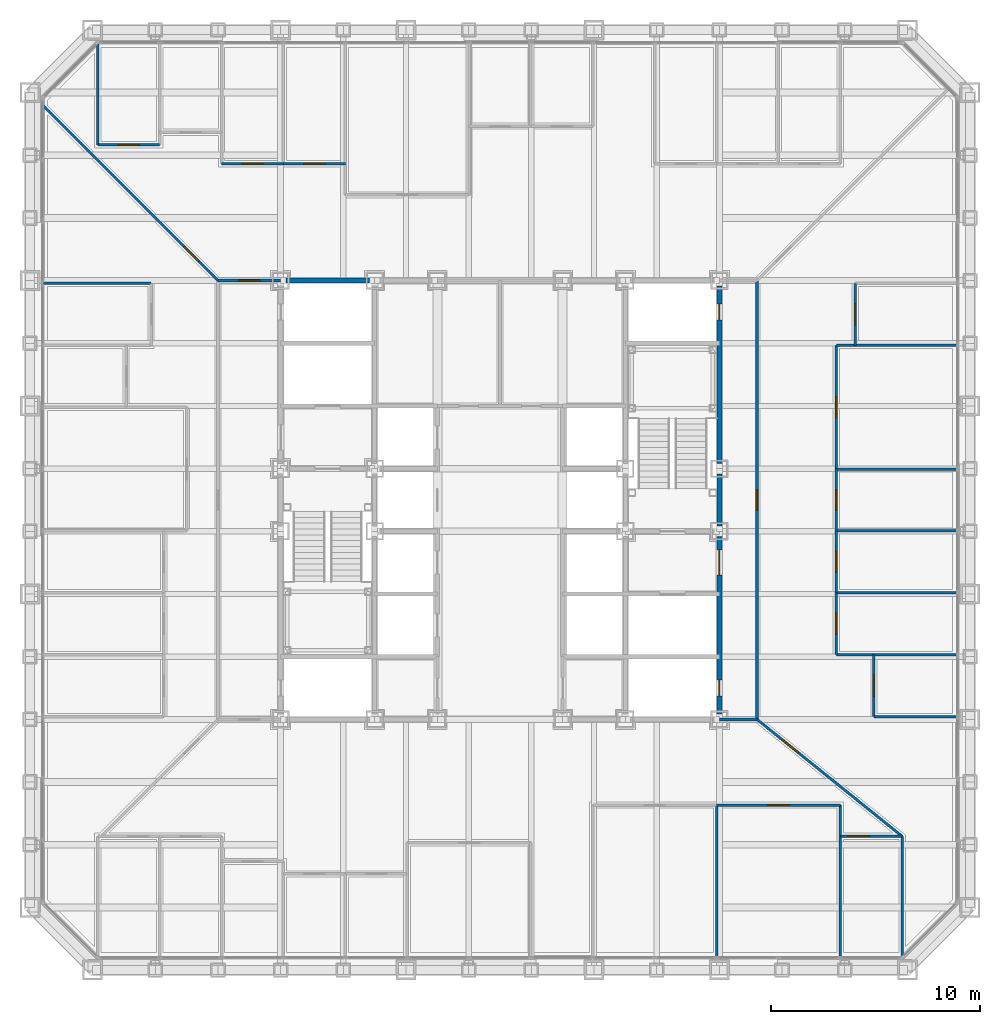
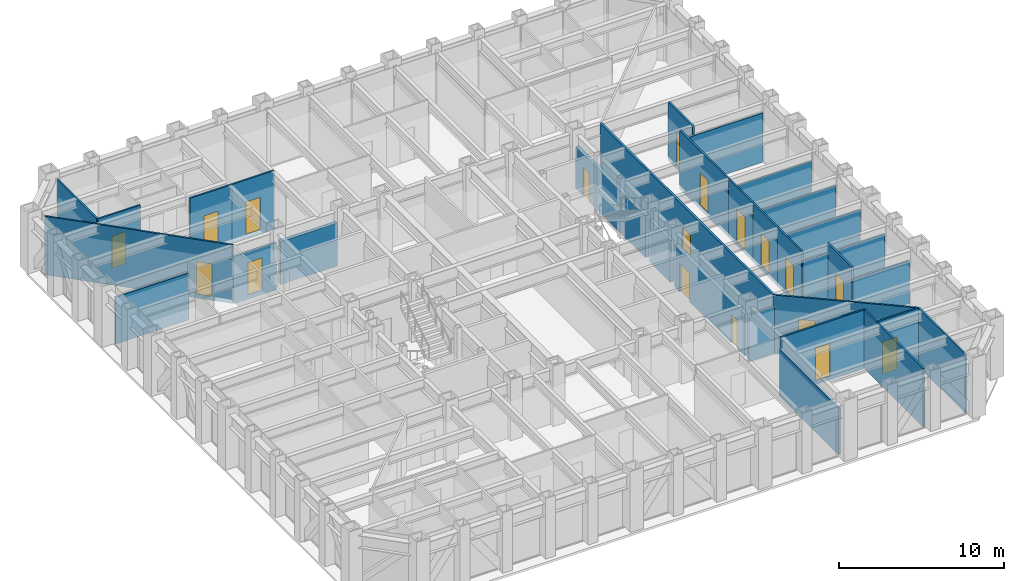
# One storey, part 10 of 17: 31 walls, 18 doors, 18 openings.
"""IFC4 building model written with IfcOpenShell, lengths in metres."""

from ifc_helpers import new_model, si_unit, direction, frame, frame_2d, origin, place, context, subcontext, project, spatial, rectangle, extrude, material, layer, layer_set, type_object, element, fill, save


model = new_model("IFC4")

# Units and contexts
model_context = context("Model", 3, precision=1e-05, world=origin(), true_north=direction((0.0, 1.0)))
body_context = subcontext(model_context, "Body", "Model", "MODEL_VIEW")
ifc_project = project(units=[si_unit("LENGTHUNIT", "METRE"), si_unit("AREAUNIT", "SQUARE_METRE"), si_unit("VOLUMEUNIT", "CUBIC_METRE"), si_unit("PLANEANGLEUNIT", "RADIAN"), si_unit("MASSUNIT", "GRAM", prefix="KILO")], contexts=[model_context])

# Site, building, storey
site_placement = place(None, origin())
site = spatial("IfcSite", under=ifc_project, at=site_placement, CompositionType="ELEMENT")
building_placement = place(site_placement, origin())
building = spatial("IfcBuilding", under=site, at=building_placement, Name="Chuquiago Exchange Tower", CompositionType="ELEMENT")
storey_placement = place(building_placement, frame((0.0, 0.0, 46.800048828125)))
storey = spatial("IfcBuildingStorey", under=building, at=storey_placement, Name="L09", CompositionType="ELEMENT", Elevation=46.800048828125)

# Wall
ifc_material_1 = material(Name="Concrete masonry, fully grouted", Category="masonry")
ifc_layer_1 = layer(ifc_material_1, 0.25)
ifc_layer_set_1 = layer_set([ifc_layer_1], Name="W1 core wall 250")
wall_type_1 = type_object("IfcWallType", Name="W1 core wall 250", PredefinedType="SOLIDWALL", material=ifc_layer_set_1)
wall_1_placement = place(storey_placement, frame((12.25, 33.0, 0.0), z_axis=(0.0, 0.0, 1.0), x_axis=(1.0, 0.0, 0.0)))
element("IfcWall", 1, at=wall_1_placement, inside=storey, type_object=wall_type_1, Name="CW-L09-11-0", PredefinedType="SOLIDWALL", context=body_context, shape_type="SweptSolid", body=[
    extrude(rectangle(XDim=4.0, YDim=0.25, at=frame_2d((2.0, 0.0))), origin(), (0.0, 0.0, 1.0), 3.181396484375),
])

# Wall, openings, doors
wall_2_placement = place(storey_placement, frame((33.0, 12.25, 0.0), z_axis=(0.0, 0.0, 1.0), x_axis=(0.0, 1.0, 0.0)))
wall_2 = element("IfcWall", 2, at=wall_2_placement, inside=storey, type_object=wall_type_1, Name="CW-L09-25-0", PredefinedType="SOLIDWALL", context=body_context, shape_type="SweptSolid", body=[
    extrude(rectangle(XDim=8.5, YDim=0.25, at=frame_2d((4.25, 0.0))), origin(), (0.0, 0.0, 1.0), 3.11279296875),
])
opening_1_placement = place(wall_2_placement, frame((6.64990234375, 0.0, 0.0)))
opening_1 = element("IfcOpeningElement", 3, at=opening_1_placement, cuts=wall_2, Name="Opening L09-004", PredefinedType="OPENING", context=body_context, shape_type="SweptSolid", body=[
    extrude(rectangle(XDim=1.199951171875, YDim=2.10009765625, at=frame_2d((0.60009765625, 1.050048828125))), frame((0.0, 0.135009765625, 0.0), z_axis=(0.0, -1.0, 0.0), x_axis=(1.0, 0.0, 0.0)), (0.0, 0.0, 1.0), 0.27001953125),
])
opening_2_placement = place(wall_2_placement, frame((0.875, 0.0, 0.0)))
opening_2 = element("IfcOpeningElement", 4, at=opening_2_placement, cuts=wall_2, Name="Opening L09-009", PredefinedType="OPENING", context=body_context, shape_type="SweptSolid", body=[
    extrude(rectangle(XDim=0.75, YDim=2.10009765625, at=frame_2d((0.375, 1.050048828125))), frame((0.0, 0.135009765625, 0.0), z_axis=(0.0, -1.0, 0.0), x_axis=(1.0, 0.0, 0.0)), (0.0, 0.0, 1.0), 0.27001953125),
])
ifc_material_2 = material(Name="Steel door, painted", Category="steel")
door_type_1 = type_object("IfcDoorType", Name="D5 firefighting lobby door 1200x2100", OperationType="SINGLE_SWING_LEFT", PredefinedType="DOOR", material=ifc_material_2)
door_1_placement = place(opening_1_placement, origin())
door_1 = element("IfcDoor", 5, at=door_1_placement, inside=storey, type_object=door_type_1, Name="Firefighting lobby 2 door", OperationType="SINGLE_SWING_RIGHT", OverallHeight=2.10009765625, OverallWidth=1.199951171875, PredefinedType="DOOR", context=body_context, shape_type="SweptSolid", body=[
    extrude(rectangle(XDim=1.199951171875, YDim=2.10009765625, at=frame_2d((0.60009765625, 1.050048828125))), frame((0.0, 0.02490234375, 0.0), z_axis=(0.0, -1.0, 0.0), x_axis=(1.0, 0.0, 0.0)), (0.0, 0.0, 1.0), 0.050048828125),
])
fill(opening_1, door_1)
ifc_material_3 = material(Name="Steel door, painted", Category="steel")
door_type_2 = type_object("IfcDoorType", Name="D6 riser access door 750x2100", OperationType="SINGLE_SWING_LEFT", PredefinedType="DOOR", material=ifc_material_3)
door_2_placement = place(opening_2_placement, frame((0.75, 0.0, 0.0), z_axis=(0.0, 0.0, 1.0), x_axis=(-1.0, 0.0, 0.0)))
door_2 = element("IfcDoor", 6, at=door_2_placement, inside=storey, type_object=door_type_2, Name="Riser RE1 door", OperationType="SINGLE_SWING_RIGHT", OverallHeight=2.10009765625, OverallWidth=0.75, PredefinedType="DOOR", context=body_context, shape_type="SweptSolid", body=[
    extrude(rectangle(XDim=0.75, YDim=2.10009765625, at=frame_2d((0.375, 1.050048828125))), frame((0.0, 0.02490234375, 0.0), z_axis=(0.0, -1.0, 0.0), x_axis=(1.0, 0.0, 0.0)), (0.0, 0.0, 1.0), 0.050048828125),
])
fill(opening_2, door_2)

# Wall
wall_3_placement = place(storey_placement, frame((33.0, 21.25, 0.0), z_axis=(0.0, 0.0, 1.0), x_axis=(0.0, 1.0, 0.0)))
element("IfcWall", 7, at=wall_3_placement, inside=storey, type_object=wall_type_1, Name="CW-L09-25-1", PredefinedType="SOLIDWALL", context=body_context, shape_type="SweptSolid", body=[
    extrude(rectangle(XDim=2.5, YDim=0.25, at=frame_2d((1.25, 0.0))), origin(), (0.0, 0.0, 1.0), 3.11279296875),
])

# Wall, opening, door
wall_4_placement = place(storey_placement, frame((33.0, 24.25, 0.0), z_axis=(0.0, 0.0, 1.0), x_axis=(0.0, 1.0, 0.0)))
wall_4 = element("IfcWall", 8, at=wall_4_placement, inside=storey, type_object=wall_type_1, Name="CW-L09-25-2", PredefinedType="SOLIDWALL", context=body_context, shape_type="SweptSolid", body=[
    extrude(rectangle(XDim=8.5, YDim=0.25, at=frame_2d((4.25, 0.0))), origin(), (0.0, 0.0, 1.0), 3.11279296875),
])
opening_3_placement = place(wall_4_placement, frame((6.875, 0.0, 0.0)))
opening_3 = element("IfcOpeningElement", 9, at=opening_3_placement, cuts=wall_4, Name="Opening L09-010", PredefinedType="OPENING", context=body_context, shape_type="SweptSolid", body=[
    extrude(rectangle(XDim=0.75, YDim=2.10009765625, at=frame_2d((0.375, 1.050048828125))), frame((0.0, 0.135009765625, 0.0), z_axis=(0.0, -1.0, 0.0), x_axis=(1.0, 0.0, 0.0)), (0.0, 0.0, 1.0), 0.27001953125),
])
door_3_placement = place(opening_3_placement, frame((0.75, 0.0, 0.0), z_axis=(0.0, 0.0, 1.0), x_axis=(-1.0, 0.0, 0.0)))
door_3 = element("IfcDoor", 10, at=door_3_placement, inside=storey, type_object=door_type_2, Name="Riser RE2 door", OperationType="SINGLE_SWING_LEFT", OverallHeight=2.10009765625, OverallWidth=0.75, PredefinedType="DOOR", context=body_context, shape_type="SweptSolid", body=[
    extrude(rectangle(XDim=0.75, YDim=2.10009765625, at=frame_2d((0.375, 1.050048828125))), frame((0.0, 0.02490234375, 0.0), z_axis=(0.0, -1.0, 0.0), x_axis=(1.0, 0.0, 0.0)), (0.0, 0.0, 1.0), 0.050048828125),
])
fill(opening_3, door_3)

ifc_material_4 = material(Name="Gypsum board on steel studs, acoustic insulation", Category="steel")
ifc_layer_2 = layer(ifc_material_4, 0.14990234375)
ifc_layer_set_2 = layer_set([ifc_layer_2], Name="W11 corridor wall 150")
wall_type_2 = type_object("IfcWallType", Name="W11 corridor wall 150", PredefinedType="PARTITIONING", material=ifc_layer_set_2)
wall_5_placement = place(storey_placement, frame((9.0, 33.0, -0.300048828125), z_axis=(0.0, 0.0, 1.0), x_axis=(1.0, 0.0, 0.0)))
wall_5 = element("IfcWall", 11, at=wall_5_placement, inside=storey, type_object=wall_type_2, Name="PW-L09-GWN0", PredefinedType="PARTITIONING", context=body_context, shape_type="SweptSolid", body=[
    extrude(rectangle(XDim=3.0, YDim=0.14990234375, at=frame_2d((1.5, 0.0))), origin(), (0.0, 0.0, 1.0), 3.4814453125),
])
opening_4_placement = place(wall_5_placement, frame((1.0, 0.0, 0.300048828125)))
opening_4 = element("IfcOpeningElement", 12, at=opening_4_placement, cuts=wall_5, Name="Opening L09-051", PredefinedType="OPENING", context=body_context, shape_type="SweptSolid", body=[
    extrude(rectangle(XDim=1.0, YDim=2.39990234375, at=frame_2d((0.5, 1.199951171875))), frame((0.0, 0.0849609375, 0.0), z_axis=(0.0, -1.0, 0.0), x_axis=(1.0, 0.0, 0.0)), (0.0, 0.0, 1.0), 0.169921875),
])
ifc_material_5 = material(Name="Timber door, laminate faced", Category="wood")
door_type_3 = type_object("IfcDoorType", Name="D9 room door 1000x2400", OperationType="SINGLE_SWING_LEFT", PredefinedType="DOOR", material=ifc_material_5)
door_4_placement = place(opening_4_placement, frame((1.0, 0.0, 0.0), z_axis=(0.0, 0.0, 1.0), x_axis=(-1.0, 0.0, 0.0)))
door_4 = element("IfcDoor", 13, at=door_4_placement, inside=storey, type_object=door_type_3, Name="Team area door", OperationType="SINGLE_SWING_LEFT", OverallHeight=2.39990234375, OverallWidth=1.0, PredefinedType="DOOR", context=body_context, shape_type="SweptSolid", body=[
    extrude(rectangle(XDim=1.0, YDim=2.39990234375, at=frame_2d((0.5, 1.199951171875))), frame((0.0, 0.02490234375, 0.0), z_axis=(0.0, -1.0, 0.0), x_axis=(1.0, 0.0, 0.0)), (0.0, 0.0, 1.0), 0.050048828125),
])
fill(opening_4, door_4)

wall_6_placement = place(storey_placement, frame((34.800048828125, 12.0, -0.300048828125), z_axis=(0.0, 0.0, 1.0), x_axis=(0.0, 1.0, 0.0)))
wall_6 = element("IfcWall", 14, at=wall_6_placement, inside=storey, type_object=wall_type_2, Name="PW-L09-GE0", PredefinedType="PARTITIONING", context=body_context, shape_type="SweptSolid", body=[
    extrude(rectangle(XDim=21.0, YDim=0.14990234375, at=frame_2d((10.5, 0.0))), origin(), (0.0, 0.0, 1.0), 4.340087890625),
])
opening_5_placement = place(wall_6_placement, frame((10.0, 0.0, 0.300048828125)))
opening_5 = element("IfcOpeningElement", 15, at=opening_5_placement, cuts=wall_6, Name="Opening L09-053", PredefinedType="OPENING", context=body_context, shape_type="SweptSolid", body=[
    extrude(rectangle(XDim=1.0, YDim=2.39990234375, at=frame_2d((0.5, 1.199951171875))), frame((0.0, 0.0849609375, 0.0), z_axis=(0.0, -1.0, 0.0), x_axis=(1.0, 0.0, 0.0)), (0.0, 0.0, 1.0), 0.169921875),
])
door_5_placement = place(opening_5_placement, frame((1.0, 0.0, 0.0), z_axis=(0.0, 0.0, 1.0), x_axis=(-1.0, 0.0, 0.0)))
door_5 = element("IfcDoor", 16, at=door_5_placement, inside=storey, type_object=door_type_3, Name="Team area door", OperationType="SINGLE_SWING_RIGHT", OverallHeight=2.39990234375, OverallWidth=1.0, PredefinedType="DOOR", context=body_context, shape_type="SweptSolid", body=[
    extrude(rectangle(XDim=1.0, YDim=2.39990234375, at=frame_2d((0.5, 1.199951171875))), frame((0.0, 0.02490234375, 0.0), z_axis=(0.0, -1.0, 0.0), x_axis=(1.0, 0.0, 0.0)), (0.0, 0.0, 1.0), 0.050048828125),
])
fill(opening_5, door_5)

# Walls
wall_7_placement = place(storey_placement, frame((33.0, 12.0, -0.300048828125), z_axis=(0.0, 0.0, 1.0), x_axis=(1.0, 0.0, 0.0)))
element("IfcWall", 17, at=wall_7_placement, inside=storey, type_object=wall_type_2, Name="PW-L09-GES0", PredefinedType="PARTITIONING", context=body_context, shape_type="SweptSolid", body=[
    extrude(rectangle(XDim=1.800048828125, YDim=0.14990234375, at=frame_2d((0.89990234375, 0.0))), origin(), (0.0, 0.0, 1.0), 3.4814453125),
])
ifc_material_6 = material(Name="Gypsum board on steel studs", Category="steel")
ifc_layer_3 = layer(ifc_material_6, 0.1201171875)
ifc_layer_set_3 = layer_set([ifc_layer_3], Name="W4 partition 120")
wall_type_3 = type_object("IfcWallType", Name="W4 partition 120", PredefinedType="PARTITIONING", material=ifc_layer_set_3)
wall_8_placement = place(storey_placement, frame((32.8662109375, 0.657470703125, -0.300048828125), z_axis=(0.0, 0.0, 1.0), x_axis=(0.0, 1.0, 0.0)))
element("IfcWall", 18, at=wall_8_placement, inside=storey, type_object=wall_type_3, Name="PW-L09-S03287", PredefinedType="PARTITIONING", context=body_context, shape_type="SweptSolid", body=[
    extrude(rectangle(XDim=7.242431640625, YDim=0.1201171875, at=frame_2d((3.62109375, 0.0))), origin(), (0.0, 0.0, 1.0), 3.4814453125),
])
wall_9_placement = place(storey_placement, frame((38.789794921875, 0.657470703125, -0.300048828125), z_axis=(0.0, 0.0, 1.0), x_axis=(0.0, 1.0, 0.0)))
element("IfcWall", 19, at=wall_9_placement, inside=storey, type_object=wall_type_3, Name="PW-L09-S03879", PredefinedType="PARTITIONING", context=body_context, shape_type="SweptSolid", body=[
    extrude(rectangle(XDim=7.242431640625, YDim=0.1201171875, at=frame_2d((3.62109375, 0.0))), origin(), (0.0, 0.0, 1.0), 4.340087890625),
])
wall_10_placement = place(storey_placement, frame((41.75146484375, 0.666015625, -0.300048828125), z_axis=(0.0, 0.0, 1.0), x_axis=(0.0, 1.0, 0.0)))
element("IfcWall", 20, at=wall_10_placement, inside=storey, type_object=wall_type_3, Name="PW-L09-S04175", PredefinedType="PARTITIONING", context=body_context, shape_type="SweptSolid", body=[
    extrude(rectangle(XDim=5.73388671875, YDim=0.1201171875, at=frame_2d((2.866943359375, 0.0))), origin(), (0.0, 0.0, 1.0), 4.340087890625),
])

# Wall, opening, door
wall_11_placement = place(storey_placement, frame((32.8662109375, 7.89990234375, -0.300048828125), z_axis=(0.0, 0.0, 1.0), x_axis=(1.0, 0.0, 0.0)))
wall_11 = element("IfcWall", 21, at=wall_11_placement, inside=storey, type_object=wall_type_3, Name="PW-L09-SF03287", PredefinedType="PARTITIONING", context=body_context, shape_type="SweptSolid", body=[
    extrude(rectangle(XDim=5.923583984375, YDim=0.1201171875, at=frame_2d((2.9619140625, 0.0))), origin(), (0.0, 0.0, 1.0), 4.340087890625),
])
opening_6_placement = place(wall_11_placement, frame((2.4619140625, 0.0, 0.300048828125)))
opening_6 = element("IfcOpeningElement", 22, at=opening_6_placement, cuts=wall_11, Name="Opening L09-026", PredefinedType="OPENING", context=body_context, shape_type="SweptSolid", body=[
    extrude(rectangle(XDim=1.0, YDim=2.39990234375, at=frame_2d((0.5, 1.199951171875))), frame((0.0, 0.070068359375, 0.0), z_axis=(0.0, -1.0, 0.0), x_axis=(1.0, 0.0, 0.0)), (0.0, 0.0, 1.0), 0.14013671875),
])
door_6_placement = place(opening_6_placement, frame((1.0, 0.0, 0.0), z_axis=(0.0, 0.0, 1.0), x_axis=(-1.0, 0.0, 0.0)))
door_6 = element("IfcDoor", 23, at=door_6_placement, inside=storey, type_object=door_type_3, Name="Market data room door", OperationType="SINGLE_SWING_LEFT", OverallHeight=2.39990234375, OverallWidth=1.0, PredefinedType="DOOR", context=body_context, shape_type="SweptSolid", body=[
    extrude(rectangle(XDim=1.0, YDim=2.39990234375, at=frame_2d((0.5, 1.199951171875))), frame((0.0, 0.02490234375, 0.0), z_axis=(0.0, -1.0, 0.0), x_axis=(1.0, 0.0, 0.0)), (0.0, 0.0, 1.0), 0.050048828125),
])
fill(opening_6, door_6)

wall_12_placement = place(storey_placement, frame((38.789794921875, 6.39990234375, -0.300048828125), z_axis=(0.0, 0.0, 1.0), x_axis=(1.0, 0.0, 0.0)))
wall_12 = element("IfcWall", 24, at=wall_12_placement, inside=storey, type_object=wall_type_3, Name="PW-L09-SF03879", PredefinedType="PARTITIONING", context=body_context, shape_type="SweptSolid", body=[
    extrude(rectangle(XDim=2.961669921875, YDim=0.1201171875, at=frame_2d((1.48095703125, 0.0))), origin(), (0.0, 0.0, 1.0), 4.340087890625),
])
opening_7_placement = place(wall_12_placement, frame((0.388427734375, 0.0, 0.300048828125)))
opening_7 = element("IfcOpeningElement", 25, at=opening_7_placement, cuts=wall_12, Name="Opening L09-027", PredefinedType="OPENING", context=body_context, shape_type="SweptSolid", body=[
    extrude(rectangle(XDim=1.0, YDim=2.39990234375, at=frame_2d((0.5, 1.199951171875))), frame((0.0, 0.070068359375, 0.0), z_axis=(0.0, -1.0, 0.0), x_axis=(1.0, 0.0, 0.0)), (0.0, 0.0, 1.0), 0.14013671875),
])
door_7_placement = place(opening_7_placement, frame((1.0, 0.0, 0.0), z_axis=(0.0, 0.0, 1.0), x_axis=(-1.0, 0.0, 0.0)))
door_7 = element("IfcDoor", 26, at=door_7_placement, inside=storey, type_object=door_type_3, Name="Trading support room door", OperationType="SINGLE_SWING_RIGHT", OverallHeight=2.39990234375, OverallWidth=1.0, PredefinedType="DOOR", context=body_context, shape_type="SweptSolid", body=[
    extrude(rectangle(XDim=1.0, YDim=2.39990234375, at=frame_2d((0.5, 1.199951171875))), frame((0.0, 0.02490234375, 0.0), z_axis=(0.0, -1.0, 0.0), x_axis=(1.0, 0.0, 0.0)), (0.0, 0.0, 1.0), 0.050048828125),
])
fill(opening_7, door_7)

# Walls
wall_13_placement = place(storey_placement, frame((44.342529296875, 12.1337890625, -0.300048828125), z_axis=(0.0, 0.0, 1.0), x_axis=(-1.0, 0.0, 0.0)))
element("IfcWall", 27, at=wall_13_placement, inside=storey, type_object=wall_type_3, Name="PW-L09-E01213", PredefinedType="PARTITIONING", context=body_context, shape_type="SweptSolid", body=[
    extrude(rectangle(XDim=3.942626953125, YDim=0.1201171875, at=frame_2d((1.97119140625, 0.0))), origin(), (0.0, 0.0, 1.0), 3.4814453125),
])
for number, where, z_axis, x_axis, name in (
    (28, (44.342529296875, 15.095703125, -0.300048828125), (0.0, 0.0, 1.0), (-1.0, 0.0, 0.0), "PW-L09-E01510"),
    (29, (44.342529296875, 18.057373046875, -0.300048828125), (0.0, 0.0, 1.0), (-1.0, 0.0, 0.0), "PW-L09-E01806"),
    (30, (44.342529296875, 21.01904296875, -0.300048828125), (0.0, 0.0, 1.0), (-1.0, 0.0, 0.0), "PW-L09-E02102"),
    (31, (44.342529296875, 23.98095703125, -0.300048828125), (0.0, 0.0, 1.0), (-1.0, 0.0, 0.0), "PW-L09-E02398"),
    (32, (44.342529296875, 29.904296875, -0.300048828125), (0.0, 0.0, 1.0), (-1.0, 0.0, 0.0), "PW-L09-E02990"),
):
    element("IfcWall", number, at=place(storey_placement, frame(where, z_axis=z_axis, x_axis=x_axis)), inside=storey, type_object=wall_type_3, Name=name, PredefinedType="PARTITIONING", context=body_context, shape_type="SweptSolid", body=[
        extrude(rectangle(XDim=5.742431640625, YDim=0.1201171875, at=frame_2d((2.87109375, 0.0))), origin(), (0.0, 0.0, 1.0), 3.646484375),
    ])

# Wall, opening, door
wall_14_placement = place(storey_placement, frame((40.39990234375, 12.1337890625, -0.300048828125), z_axis=(0.0, 0.0, 1.0), x_axis=(0.0, 1.0, 0.0)))
wall_14 = element("IfcWall", 33, at=wall_14_placement, inside=storey, type_object=wall_type_3, Name="PW-L09-EF01213", PredefinedType="PARTITIONING", context=body_context, shape_type="SweptSolid", body=[
    extrude(rectangle(XDim=2.9619140625, YDim=0.1201171875, at=frame_2d((1.48095703125, 0.0))), origin(), (0.0, 0.0, 1.0), 4.340087890625),
])
opening_8_placement = place(wall_14_placement, frame((0.98095703125, 0.0, 0.300048828125)))
opening_8 = element("IfcOpeningElement", 34, at=opening_8_placement, cuts=wall_14, Name="Opening L09-028", PredefinedType="OPENING", context=body_context, shape_type="SweptSolid", body=[
    extrude(rectangle(XDim=1.0, YDim=2.39990234375, at=frame_2d((0.5, 1.199951171875))), frame((0.0, 0.070068359375, 0.0), z_axis=(0.0, -1.0, 0.0), x_axis=(1.0, 0.0, 0.0)), (0.0, 0.0, 1.0), 0.14013671875),
])
ifc_material_7 = material(Name="Timber frame door, full height glazed panel", Category="wood")
door_type_4 = type_object("IfcDoorType", Name="D14 glazed meeting room door 1000x2400", OperationType="SINGLE_SWING_LEFT", PredefinedType="DOOR", material=ifc_material_7)
door_8_placement = place(opening_8_placement, frame((1.0, 0.0, 0.0), z_axis=(0.0, 0.0, 1.0), x_axis=(-1.0, 0.0, 0.0)))
door_8 = element("IfcDoor", 35, at=door_8_placement, inside=storey, type_object=door_type_4, Name="Focus room door", OperationType="SINGLE_SWING_LEFT", OverallHeight=2.39990234375, OverallWidth=1.0, PredefinedType="DOOR", context=body_context, shape_type="SweptSolid", body=[
    extrude(rectangle(XDim=1.0, YDim=2.39990234375, at=frame_2d((0.5, 1.199951171875))), frame((0.0, 0.02490234375, 0.0), z_axis=(0.0, -1.0, 0.0), x_axis=(1.0, 0.0, 0.0)), (0.0, 0.0, 1.0), 0.050048828125),
])
fill(opening_8, door_8)

wall_15_placement = place(storey_placement, frame((38.60009765625, 15.095703125, -0.300048828125), z_axis=(0.0, 0.0, 1.0), x_axis=(0.0, 1.0, 0.0)))
wall_15 = element("IfcWall", 36, at=wall_15_placement, inside=storey, type_object=wall_type_3, Name="PW-L09-EF01510", PredefinedType="PARTITIONING", context=body_context, shape_type="SweptSolid", body=[
    extrude(rectangle(XDim=2.961669921875, YDim=0.1201171875, at=frame_2d((1.48095703125, 0.0))), origin(), (0.0, 0.0, 1.0), 4.340087890625),
])
opening_9_placement = place(wall_15_placement, frame((0.98095703125, 0.0, 0.300048828125)))
opening_9 = element("IfcOpeningElement", 37, at=opening_9_placement, cuts=wall_15, Name="Opening L09-029", PredefinedType="OPENING", context=body_context, shape_type="SweptSolid", body=[
    extrude(rectangle(XDim=1.0, YDim=2.39990234375, at=frame_2d((0.5, 1.199951171875))), frame((0.0, 0.070068359375, 0.0), z_axis=(0.0, -1.0, 0.0), x_axis=(1.0, 0.0, 0.0)), (0.0, 0.0, 1.0), 0.14013671875),
])
door_9_placement = place(opening_9_placement, frame((1.0, 0.0, 0.0), z_axis=(0.0, 0.0, 1.0), x_axis=(-1.0, 0.0, 0.0)))
door_9 = element("IfcDoor", 38, at=door_9_placement, inside=storey, type_object=door_type_3, Name="Trading support room door", OperationType="SINGLE_SWING_RIGHT", OverallHeight=2.39990234375, OverallWidth=1.0, PredefinedType="DOOR", context=body_context, shape_type="SweptSolid", body=[
    extrude(rectangle(XDim=1.0, YDim=2.39990234375, at=frame_2d((0.5, 1.199951171875))), frame((0.0, 0.02490234375, 0.0), z_axis=(0.0, -1.0, 0.0), x_axis=(1.0, 0.0, 0.0)), (0.0, 0.0, 1.0), 0.050048828125),
])
fill(opening_9, door_9)

wall_16_placement = place(storey_placement, frame((38.60009765625, 18.057373046875, -0.300048828125), z_axis=(0.0, 0.0, 1.0), x_axis=(0.0, 1.0, 0.0)))
wall_16 = element("IfcWall", 39, at=wall_16_placement, inside=storey, type_object=wall_type_3, Name="PW-L09-EF01806", PredefinedType="PARTITIONING", context=body_context, shape_type="SweptSolid", body=[
    extrude(rectangle(XDim=2.961669921875, YDim=0.1201171875, at=frame_2d((1.48095703125, 0.0))), origin(), (0.0, 0.0, 1.0), 4.340087890625),
])
opening_10_placement = place(wall_16_placement, frame((0.98095703125, 0.0, 0.300048828125)))
opening_10 = element("IfcOpeningElement", 40, at=opening_10_placement, cuts=wall_16, Name="Opening L09-030", PredefinedType="OPENING", context=body_context, shape_type="SweptSolid", body=[
    extrude(rectangle(XDim=1.0, YDim=2.39990234375, at=frame_2d((0.5, 1.199951171875))), frame((0.0, 0.070068359375, 0.0), z_axis=(0.0, -1.0, 0.0), x_axis=(1.0, 0.0, 0.0)), (0.0, 0.0, 1.0), 0.14013671875),
])
door_10_placement = place(opening_10_placement, frame((1.0, 0.0, 0.0), z_axis=(0.0, 0.0, 1.0), x_axis=(-1.0, 0.0, 0.0)))
door_10 = element("IfcDoor", 41, at=door_10_placement, inside=storey, type_object=door_type_3, Name="Trading support room door", OperationType="SINGLE_SWING_LEFT", OverallHeight=2.39990234375, OverallWidth=1.0, PredefinedType="DOOR", context=body_context, shape_type="SweptSolid", body=[
    extrude(rectangle(XDim=1.0, YDim=2.39990234375, at=frame_2d((0.5, 1.199951171875))), frame((0.0, 0.02490234375, 0.0), z_axis=(0.0, -1.0, 0.0), x_axis=(1.0, 0.0, 0.0)), (0.0, 0.0, 1.0), 0.050048828125),
])
fill(opening_10, door_10)

wall_17_placement = place(storey_placement, frame((38.60009765625, 21.01904296875, -0.300048828125), z_axis=(0.0, 0.0, 1.0), x_axis=(0.0, 1.0, 0.0)))
wall_17 = element("IfcWall", 42, at=wall_17_placement, inside=storey, type_object=wall_type_3, Name="PW-L09-EF02102", PredefinedType="PARTITIONING", context=body_context, shape_type="SweptSolid", body=[
    extrude(rectangle(XDim=2.9619140625, YDim=0.1201171875, at=frame_2d((1.48095703125, 0.0))), origin(), (0.0, 0.0, 1.0), 4.340087890625),
])
opening_11_placement = place(wall_17_placement, frame((0.98095703125, 0.0, 0.300048828125)))
opening_11 = element("IfcOpeningElement", 43, at=opening_11_placement, cuts=wall_17, Name="Opening L09-031", PredefinedType="OPENING", context=body_context, shape_type="SweptSolid", body=[
    extrude(rectangle(XDim=1.0, YDim=2.39990234375, at=frame_2d((0.5, 1.199951171875))), frame((0.0, 0.070068359375, 0.0), z_axis=(0.0, -1.0, 0.0), x_axis=(1.0, 0.0, 0.0)), (0.0, 0.0, 1.0), 0.14013671875),
])
door_11_placement = place(opening_11_placement, frame((1.0, 0.0, 0.0), z_axis=(0.0, 0.0, 1.0), x_axis=(-1.0, 0.0, 0.0)))
door_11 = element("IfcDoor", 44, at=door_11_placement, inside=storey, type_object=door_type_3, Name="Trading support room door", OperationType="SINGLE_SWING_LEFT", OverallHeight=2.39990234375, OverallWidth=1.0, PredefinedType="DOOR", context=body_context, shape_type="SweptSolid", body=[
    extrude(rectangle(XDim=1.0, YDim=2.39990234375, at=frame_2d((0.5, 1.199951171875))), frame((0.0, 0.02490234375, 0.0), z_axis=(0.0, -1.0, 0.0), x_axis=(1.0, 0.0, 0.0)), (0.0, 0.0, 1.0), 0.050048828125),
])
fill(opening_11, door_11)

wall_18_placement = place(storey_placement, frame((38.60009765625, 23.98095703125, -0.300048828125), z_axis=(0.0, 0.0, 1.0), x_axis=(0.0, 1.0, 0.0)))
wall_18 = element("IfcWall", 45, at=wall_18_placement, inside=storey, type_object=wall_type_3, Name="PW-L09-EF02398", PredefinedType="PARTITIONING", context=body_context, shape_type="SweptSolid", body=[
    extrude(rectangle(XDim=5.92333984375, YDim=0.1201171875, at=frame_2d((2.961669921875, 0.0))), origin(), (0.0, 0.0, 1.0), 4.340087890625),
])
opening_12_placement = place(wall_18_placement, frame((2.4619140625, 0.0, 0.300048828125)))
opening_12 = element("IfcOpeningElement", 46, at=opening_12_placement, cuts=wall_18, Name="Opening L09-032", PredefinedType="OPENING", context=body_context, shape_type="SweptSolid", body=[
    extrude(rectangle(XDim=1.0, YDim=2.39990234375, at=frame_2d((0.5, 1.199951171875))), frame((0.0, 0.070068359375, 0.0), z_axis=(0.0, -1.0, 0.0), x_axis=(1.0, 0.0, 0.0)), (0.0, 0.0, 1.0), 0.14013671875),
])
door_12_placement = place(opening_12_placement, frame((1.0, 0.0, 0.0), z_axis=(0.0, 0.0, 1.0), x_axis=(-1.0, 0.0, 0.0)))
door_12 = element("IfcDoor", 47, at=door_12_placement, inside=storey, type_object=door_type_4, Name="Meeting room door", OperationType="SINGLE_SWING_LEFT", OverallHeight=2.39990234375, OverallWidth=1.0, PredefinedType="DOOR", context=body_context, shape_type="SweptSolid", body=[
    extrude(rectangle(XDim=1.0, YDim=2.39990234375, at=frame_2d((0.5, 1.199951171875))), frame((0.0, 0.02490234375, 0.0), z_axis=(0.0, -1.0, 0.0), x_axis=(1.0, 0.0, 0.0)), (0.0, 0.0, 1.0), 0.050048828125),
])
fill(opening_12, door_12)

wall_19_placement = place(storey_placement, frame((39.5, 29.904296875, -0.300048828125), z_axis=(0.0, 0.0, 1.0), x_axis=(0.0, 1.0, 0.0)))
wall_19 = element("IfcWall", 48, at=wall_19_placement, inside=storey, type_object=wall_type_3, Name="PW-L09-EF02990", PredefinedType="PARTITIONING", context=body_context, shape_type="SweptSolid", body=[
    extrude(rectangle(XDim=2.9619140625, YDim=0.1201171875, at=frame_2d((1.48095703125, 0.0))), origin(), (0.0, 0.0, 1.0), 4.340087890625),
])
opening_13_placement = place(wall_19_placement, frame((0.98095703125, 0.0, 0.300048828125)))
opening_13 = element("IfcOpeningElement", 49, at=opening_13_placement, cuts=wall_19, Name="Opening L09-033", PredefinedType="OPENING", context=body_context, shape_type="SweptSolid", body=[
    extrude(rectangle(XDim=1.0, YDim=2.39990234375, at=frame_2d((0.5, 1.199951171875))), frame((0.0, 0.070068359375, 0.0), z_axis=(0.0, -1.0, 0.0), x_axis=(1.0, 0.0, 0.0)), (0.0, 0.0, 1.0), 0.14013671875),
])
door_13_placement = place(opening_13_placement, frame((1.0, 0.0, 0.0), z_axis=(0.0, 0.0, 1.0), x_axis=(-1.0, 0.0, 0.0)))
door_13 = element("IfcDoor", 50, at=door_13_placement, inside=storey, type_object=door_type_3, Name="Comms room door", OperationType="SINGLE_SWING_RIGHT", OverallHeight=2.39990234375, OverallWidth=1.0, PredefinedType="DOOR", context=body_context, shape_type="SweptSolid", body=[
    extrude(rectangle(XDim=1.0, YDim=2.39990234375, at=frame_2d((0.5, 1.199951171875))), frame((0.0, 0.02490234375, 0.0), z_axis=(0.0, -1.0, 0.0), x_axis=(1.0, 0.0, 0.0)), (0.0, 0.0, 1.0), 0.050048828125),
])
fill(opening_13, door_13)

# Wall
wall_20_placement = place(storey_placement, frame((3.24853515625, 44.333984375, -0.300048828125), z_axis=(0.0, 0.0, 1.0), x_axis=(0.0, -1.0, 0.0)))
element("IfcWall", 51, at=wall_20_placement, inside=storey, type_object=wall_type_3, Name="PW-L09-N00325", PredefinedType="PARTITIONING", context=body_context, shape_type="SweptSolid", body=[
    extrude(rectangle(XDim=4.833984375, YDim=0.1201171875, at=frame_2d((2.4169921875, 0.0))), origin(), (0.0, 0.0, 1.0), 4.340087890625),
])

# Wall, opening, door
wall_21_placement = place(storey_placement, frame((3.24853515625, 39.5, -0.300048828125), z_axis=(0.0, 0.0, 1.0), x_axis=(1.0, 0.0, 0.0)))
wall_21 = element("IfcWall", 52, at=wall_21_placement, inside=storey, type_object=wall_type_3, Name="PW-L09-NF00325", PredefinedType="PARTITIONING", context=body_context, shape_type="SweptSolid", body=[
    extrude(rectangle(XDim=2.961669921875, YDim=0.1201171875, at=frame_2d((1.48095703125, 0.0))), origin(), (0.0, 0.0, 1.0), 4.340087890625),
])
opening_14_placement = place(wall_21_placement, frame((0.98095703125, 0.0, 0.300048828125)))
opening_14 = element("IfcOpeningElement", 53, at=opening_14_placement, cuts=wall_21, Name="Opening L09-034", PredefinedType="OPENING", context=body_context, shape_type="SweptSolid", body=[
    extrude(rectangle(XDim=1.0, YDim=2.39990234375, at=frame_2d((0.5, 1.199951171875))), frame((0.0, 0.070068359375, 0.0), z_axis=(0.0, -1.0, 0.0), x_axis=(1.0, 0.0, 0.0)), (0.0, 0.0, 1.0), 0.14013671875),
])
door_14_placement = place(opening_14_placement, origin())
door_14 = element("IfcDoor", 54, at=door_14_placement, inside=storey, type_object=door_type_3, Name="Comms room door", OperationType="SINGLE_SWING_LEFT", OverallHeight=2.39990234375, OverallWidth=1.0, PredefinedType="DOOR", context=body_context, shape_type="SweptSolid", body=[
    extrude(rectangle(XDim=1.0, YDim=2.39990234375, at=frame_2d((0.5, 1.199951171875))), frame((0.0, 0.02490234375, 0.0), z_axis=(0.0, -1.0, 0.0), x_axis=(1.0, 0.0, 0.0)), (0.0, 0.0, 1.0), 0.050048828125),
])
fill(opening_14, door_14)

wall_22_placement = place(storey_placement, frame((9.172119140625, 38.60009765625, -0.300048828125), z_axis=(0.0, 0.0, 1.0), x_axis=(1.0, 0.0, 0.0)))
wall_22 = element("IfcWall", 55, at=wall_22_placement, inside=storey, type_object=wall_type_3, Name="PW-L09-NF00917", PredefinedType="PARTITIONING", context=body_context, shape_type="SweptSolid", body=[
    extrude(rectangle(XDim=2.961669921875, YDim=0.1201171875, at=frame_2d((1.48095703125, 0.0))), origin(), (0.0, 0.0, 1.0), 4.340087890625),
])
opening_15_placement = place(wall_22_placement, frame((0.98095703125, 0.0, 0.300048828125)))
opening_15 = element("IfcOpeningElement", 56, at=opening_15_placement, cuts=wall_22, Name="Opening L09-036", PredefinedType="OPENING", context=body_context, shape_type="SweptSolid", body=[
    extrude(rectangle(XDim=1.0, YDim=2.39990234375, at=frame_2d((0.5, 1.199951171875))), frame((0.0, 0.070068359375, 0.0), z_axis=(0.0, -1.0, 0.0), x_axis=(1.0, 0.0, 0.0)), (0.0, 0.0, 1.0), 0.14013671875),
])
door_15_placement = place(opening_15_placement, origin())
door_15 = element("IfcDoor", 57, at=door_15_placement, inside=storey, type_object=door_type_3, Name="Office door", OperationType="SINGLE_SWING_RIGHT", OverallHeight=2.39990234375, OverallWidth=1.0, PredefinedType="DOOR", context=body_context, shape_type="SweptSolid", body=[
    extrude(rectangle(XDim=1.0, YDim=2.39990234375, at=frame_2d((0.5, 1.199951171875))), frame((0.0, 0.02490234375, 0.0), z_axis=(0.0, -1.0, 0.0), x_axis=(1.0, 0.0, 0.0)), (0.0, 0.0, 1.0), 0.050048828125),
])
fill(opening_15, door_15)

wall_23_placement = place(storey_placement, frame((12.1337890625, 38.60009765625, -0.300048828125), z_axis=(0.0, 0.0, 1.0), x_axis=(1.0, 0.0, 0.0)))
wall_23 = element("IfcWall", 58, at=wall_23_placement, inside=storey, type_object=wall_type_3, Name="PW-L09-NF01213", PredefinedType="PARTITIONING", context=body_context, shape_type="SweptSolid", body=[
    extrude(rectangle(XDim=2.9619140625, YDim=0.1201171875, at=frame_2d((1.48095703125, 0.0))), origin(), (0.0, 0.0, 1.0), 4.340087890625),
])
opening_16_placement = place(wall_23_placement, frame((0.98095703125, 0.0, 0.300048828125)))
opening_16 = element("IfcOpeningElement", 59, at=opening_16_placement, cuts=wall_23, Name="Opening L09-037", PredefinedType="OPENING", context=body_context, shape_type="SweptSolid", body=[
    extrude(rectangle(XDim=1.0, YDim=2.39990234375, at=frame_2d((0.5, 1.199951171875))), frame((0.0, 0.070068359375, 0.0), z_axis=(0.0, -1.0, 0.0), x_axis=(1.0, 0.0, 0.0)), (0.0, 0.0, 1.0), 0.14013671875),
])
door_16_placement = place(opening_16_placement, origin())
door_16 = element("IfcDoor", 60, at=door_16_placement, inside=storey, type_object=door_type_3, Name="Office door", OperationType="SINGLE_SWING_RIGHT", OverallHeight=2.39990234375, OverallWidth=1.0, PredefinedType="DOOR", context=body_context, shape_type="SweptSolid", body=[
    extrude(rectangle(XDim=1.0, YDim=2.39990234375, at=frame_2d((0.5, 1.199951171875))), frame((0.0, 0.02490234375, 0.0), z_axis=(0.0, -1.0, 0.0), x_axis=(1.0, 0.0, 0.0)), (0.0, 0.0, 1.0), 0.050048828125),
])
fill(opening_16, door_16)

# Wall
wall_24_placement = place(storey_placement, frame((0.657470703125, 32.8662109375, -0.300048828125), z_axis=(0.0, 0.0, 1.0), x_axis=(1.0, 0.0, 0.0)))
element("IfcWall", 61, at=wall_24_placement, inside=storey, type_object=wall_type_3, Name="PW-L09-W03287", PredefinedType="PARTITIONING", context=body_context, shape_type="SweptSolid", body=[
    extrude(rectangle(XDim=5.142578125, YDim=0.1201171875, at=frame_2d((2.5712890625, 0.0))), origin(), (0.0, 0.0, 1.0), 3.4814453125),
])

# Wall, opening, door
wall_25_placement = place(storey_placement, frame((9.0, 33.0, -0.300048828125), z_axis=(0.0, 0.0, 1.0), x_axis=(-0.707106781187, 0.707106781187, 0.0)))
wall_25 = element("IfcWall", 62, at=wall_25_placement, inside=storey, type_object=wall_type_3, Name="PW-L09-QNW", PredefinedType="PARTITIONING", context=body_context, shape_type="SweptSolid", body=[
    extrude(rectangle(XDim=11.84228515625, YDim=0.1201171875, at=frame_2d((5.921142578125, 0.0))), origin(), (0.0, 0.0, 1.0), 4.340087890625),
])
opening_17_placement = place(wall_25_placement, frame((1.300048828125, 0.0, 0.300048828125)))
opening_17 = element("IfcOpeningElement", 63, at=opening_17_placement, cuts=wall_25, Name="Opening L09-055", PredefinedType="OPENING", context=body_context, shape_type="SweptSolid", body=[
    extrude(rectangle(XDim=1.0, YDim=2.39990234375, at=frame_2d((0.5, 1.199951171875))), frame((0.0, 0.070068359375, 0.0), z_axis=(0.0, -1.0, 0.0), x_axis=(1.0, 0.0, 0.0)), (0.0, 0.0, 1.0), 0.14013671875),
])
door_17_placement = place(opening_17_placement, origin())
door_17 = element("IfcDoor", 64, at=door_17_placement, inside=storey, type_object=door_type_3, Name="Team area door", OperationType="SINGLE_SWING_LEFT", OverallHeight=2.39990234375, OverallWidth=1.0, PredefinedType="DOOR", context=body_context, shape_type="SweptSolid", body=[
    extrude(rectangle(XDim=1.0, YDim=2.39990234375, at=frame_2d((0.5, 1.199951171875))), frame((0.0, 0.02490234375, 0.0), z_axis=(0.0, -1.0, 0.0), x_axis=(1.0, 0.0, 0.0)), (0.0, 0.0, 1.0), 0.050048828125),
])
fill(opening_17, door_17)

wall_26_placement = place(storey_placement, frame((34.800048828125, 12.0, -0.300048828125), z_axis=(0.0, 0.0, 1.0), x_axis=(0.778734980058, -0.627353035247, 0.0)))
wall_26 = element("IfcWall", 65, at=wall_26_placement, inside=storey, type_object=wall_type_3, Name="PW-L09-QSE", PredefinedType="PARTITIONING", context=body_context, shape_type="SweptSolid", body=[
    extrude(rectangle(XDim=8.926513671875, YDim=0.1201171875, at=frame_2d((4.46337890625, 0.0))), origin(), (0.0, 0.0, 1.0), 4.340087890625),
])
opening_18_placement = place(wall_26_placement, frame((1.528564453125, 0.0, 0.300048828125)))
opening_18 = element("IfcOpeningElement", 66, at=opening_18_placement, cuts=wall_26, Name="Opening L09-057", PredefinedType="OPENING", context=body_context, shape_type="SweptSolid", body=[
    extrude(rectangle(XDim=1.0, YDim=2.39990234375, at=frame_2d((0.5, 1.199951171875))), frame((0.0, 0.070068359375, 0.0), z_axis=(0.0, -1.0, 0.0), x_axis=(1.0, 0.0, 0.0)), (0.0, 0.0, 1.0), 0.14013671875),
])
door_18_placement = place(opening_18_placement, origin())
door_18 = element("IfcDoor", 67, at=door_18_placement, inside=storey, type_object=door_type_3, Name="Team area door", OperationType="SINGLE_SWING_LEFT", OverallHeight=2.39990234375, OverallWidth=1.0, PredefinedType="DOOR", context=body_context, shape_type="SweptSolid", body=[
    extrude(rectangle(XDim=1.0, YDim=2.39990234375, at=frame_2d((0.5, 1.199951171875))), frame((0.0, 0.02490234375, 0.0), z_axis=(0.0, -1.0, 0.0), x_axis=(1.0, 0.0, 0.0)), (0.0, 0.0, 1.0), 0.050048828125),
])
fill(opening_18, door_18)

save(model, "model.ifc")
